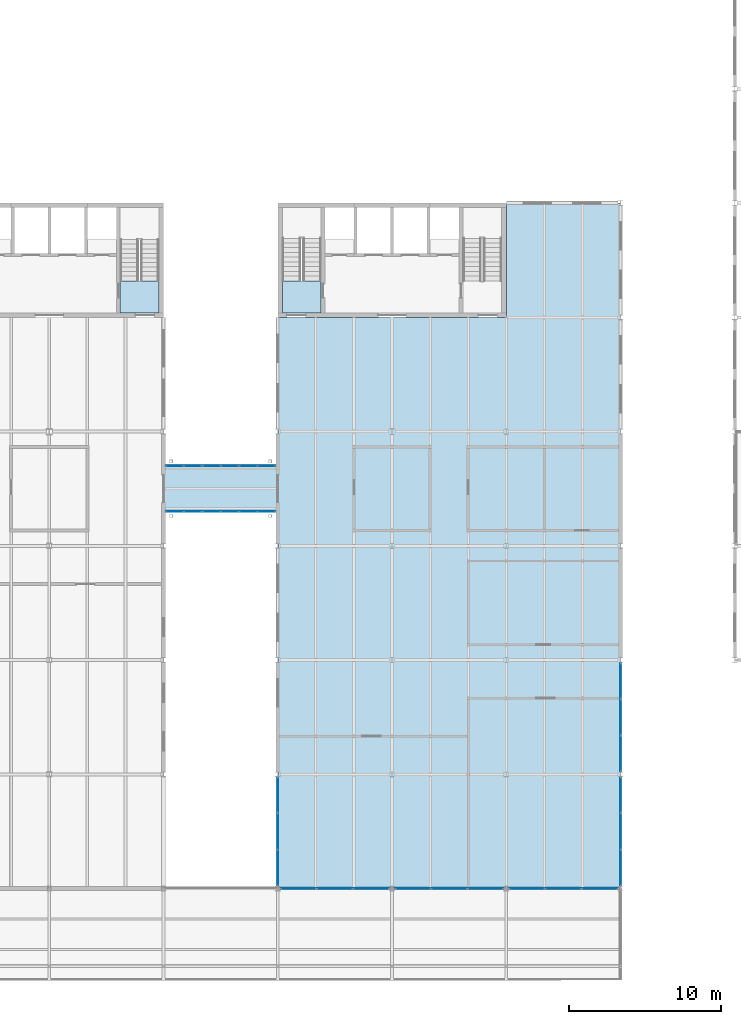
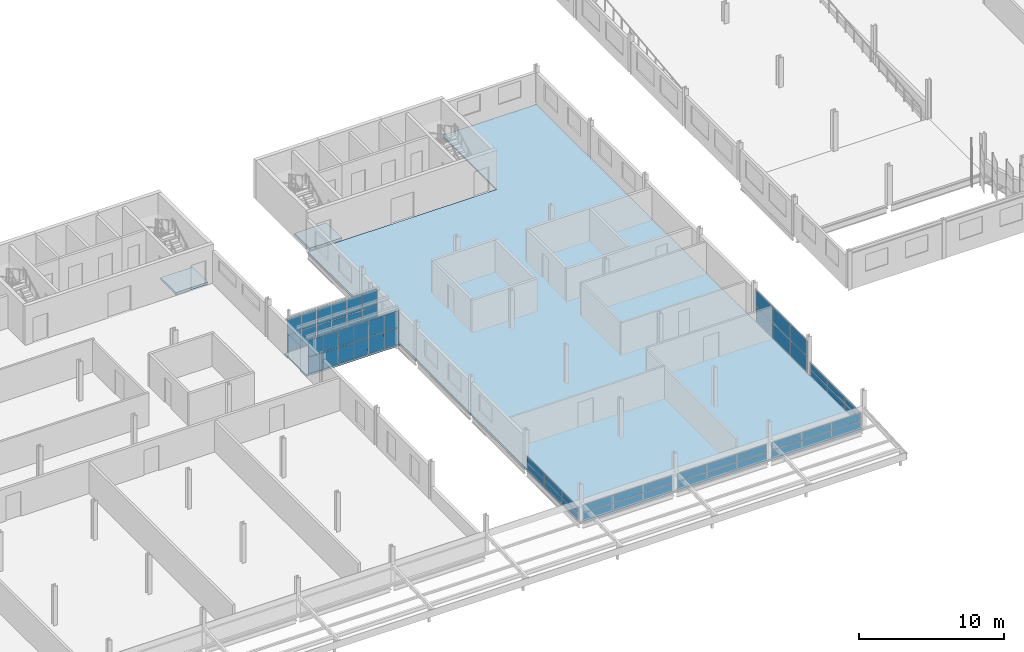
# One storey, part 60 of 214: 60 plates, 4 slabs, 12 elements without a shape of their own.
"""IFC4 building model written with IfcOpenShell, lengths in metres."""

import ifcopenshell
import ifcopenshell.guid

model = None  # the IFC model being written
_history = None  # IfcOwnerHistory: only IFC2X3 demands one
_inside = {}  # id of a spatial element -> (the spatial element, [elements in it])
_under = {}  # id of a project, library or spatial element -> (it, [spatial elements below it])
_declared = {}  # id of a project -> (the project, [libraries it declares])
_typed = {}  # id of a type object -> (the type object, [elements of that type])
_made_of = {}  # id of a material, layer set ... -> (it, [elements and type objects made of it])


def new_model(schema):
    """Start an empty IFC model of exactly this schema.

    Asked for "IFC4X3", IfcOpenShell would pick the latest addendum, in which some entities
    have other attributes; the version numbers below select the first issue.
    IFC2X3 requires an IfcOwnerHistory on every rooted entity: one is made here for all.
    """
    global model, _history
    if schema == "IFC4X3":
        model = ifcopenshell.file(schema_version=(4, 3, 0, 0))
    else:
        model = ifcopenshell.file(schema=schema)
    _inside.clear()
    _under.clear()
    _declared.clear()
    _typed.clear()
    _made_of.clear()
    _history = None
    if model.schema == "IFC2X3":
        org = make("IfcOrganization", Name="unknown")
        user = make(
            "IfcPersonAndOrganization",
            ThePerson=make("IfcPerson", FamilyName="unknown"),
            TheOrganization=org,
        )
        app = make(
            "IfcApplication",
            ApplicationDeveloper=org,
            Version="unknown",
            ApplicationFullName="unknown",
            ApplicationIdentifier="unknown",
        )
        _history = make(
            "IfcOwnerHistory",
            OwningUser=user,
            OwningApplication=app,
            ChangeAction="ADDED",
            CreationDate=0,
        )
    return model


def make(cls, **values):
    """One entity of the class cls with the attributes given. An attribute that is None is left unset."""
    return model.create_entity(
        cls, **{name: value for name, value in values.items() if value is not None}
    )


def rooted(cls, **values):
    """An entity with a GlobalId (a new one), such as an element, a storey or a relation."""
    return make(cls, GlobalId=ifcopenshell.guid.new(), OwnerHistory=_history, **values)


def si_unit(unit_type, name, prefix=None):
    """IfcSIUnit, for example si_unit("LENGTHUNIT", "METRE", prefix="MILLI")."""
    return make("IfcSIUnit", UnitType=unit_type, Prefix=prefix, Name=name)


def assignment(units):
    """IfcUnitAssignment: the units of a project."""
    return None if units is None else make("IfcUnitAssignment", Units=units)


def point(xyz):
    """IfcCartesianPoint."""
    return None if xyz is None else make("IfcCartesianPoint", Coordinates=xyz)


def direction(xyz):
    """IfcDirection."""
    return None if xyz is None else make("IfcDirection", DirectionRatios=xyz)


def frame(location, z_axis=None, x_axis=None):
    """IfcAxis2Placement3D, a coordinate frame: its origin and axes. An axis left out is left unset."""
    return make(
        "IfcAxis2Placement3D",
        Location=point(location),
        Axis=direction(z_axis),
        RefDirection=direction(x_axis),
    )


def frame_2d(location, x_axis=None):
    """IfcAxis2Placement2D, a coordinate frame in the plane: its origin and x axis."""
    return make(
        "IfcAxis2Placement2D", Location=point(location), RefDirection=direction(x_axis)
    )


def origin():
    """The frame at (0, 0, 0) with its axes left unset."""
    return frame((0.0, 0.0, 0.0))


def origin_2d():
    """The frame at (0, 0) in the plane with its x axis left unset."""
    return frame_2d((0.0, 0.0))


def place(relative_to, where):
    """IfcLocalPlacement: puts the frame where relative to a parent placement (None: the world)."""
    return make(
        "IfcLocalPlacement", PlacementRelTo=relative_to, RelativePlacement=where
    )


def context(
    kind, dimensions, precision=None, world=None, true_north=None, identifier=None
):
    """IfcGeometricRepresentationContext, for example the 3D "Model" context."""
    return make(
        "IfcGeometricRepresentationContext",
        ContextIdentifier=identifier,
        ContextType=kind,
        CoordinateSpaceDimension=dimensions,
        Precision=precision,
        WorldCoordinateSystem=world,
        TrueNorth=true_north,
    )


def subcontext(parent, identifier, kind, view, scale=None):
    """IfcGeometricRepresentationSubContext, for example "Body" below "Model"."""
    return make(
        "IfcGeometricRepresentationSubContext",
        ContextIdentifier=identifier,
        ContextType=kind,
        ParentContext=parent,
        TargetScale=scale,
        TargetView=view,
    )


def project(units=None, contexts=None):
    """IfcProject with its units and contexts."""
    return rooted(
        "IfcProject",
        Name="project",
        RepresentationContexts=contexts,
        UnitsInContext=assignment(units),
    )


def spatial(cls, under=None, at=None, **own):
    """A site, building, storey or space (cls), placed at a placement, below another one or the project."""
    s = rooted(cls, ObjectPlacement=at, **own)
    if under is not None:
        _under.setdefault(under.id(), (under, []))[1].append(s)
    return s


def polyline(points):
    """IfcPolyline through the points."""
    return make("IfcPolyline", Points=[point(p) for p in points])


def profile(cls, at=None, kind="AREA", **sizes):
    """A parametric profile (cls). Its sizes go by their IFC names, for example OverallWidth=200.0."""
    return make(cls, ProfileType=kind, Position=at, **sizes)


def rectangle(**sizes):
    """IfcRectangleProfileDef."""
    return profile("IfcRectangleProfileDef", **sizes)


def outline(outer, holes=None, kind="AREA"):
    """IfcArbitraryClosedProfileDef: a profile drawn as a closed curve; with holes, ...WithVoids."""
    if holes is None:
        return make("IfcArbitraryClosedProfileDef", ProfileType=kind, OuterCurve=outer)
    return make(
        "IfcArbitraryProfileDefWithVoids",
        ProfileType=kind,
        OuterCurve=outer,
        InnerCurves=holes,
    )


def extrude(swept, where, along, depth):
    """IfcExtrudedAreaSolid: the profile swept, set in the frame where, extruded along a direction by depth."""
    return make(
        "IfcExtrudedAreaSolid",
        SweptArea=swept,
        Position=where,
        ExtrudedDirection=direction(along),
        Depth=depth,
    )


def shape(context_of_items, identifier, shape_type, items):
    """IfcShapeRepresentation: the items that make up one representation, for example the "Body"."""
    return make(
        "IfcShapeRepresentation",
        ContextOfItems=context_of_items,
        RepresentationIdentifier=identifier,
        RepresentationType=shape_type,
        Items=items,
    )


def material(Name=None, Category=None):
    """IfcMaterial."""
    return make("IfcMaterial", Name=Name, Category=Category)


def layer(
    of_material, thickness, ventilated=None, Name=None, Category=None, Priority=None
):
    """IfcMaterialLayer: one layer of a wall or slab, of a material (None: an air gap)."""
    return make(
        "IfcMaterialLayer",
        Material=of_material,
        LayerThickness=thickness,
        IsVentilated=ventilated,
        Name=Name,
        Category=Category,
        Priority=Priority,
    )


def layer_set(layers, Name=None):
    """IfcMaterialLayerSet."""
    return make("IfcMaterialLayerSet", MaterialLayers=layers, LayerSetName=Name)


def made_of(thing, what):
    """Note that an element or type object is made of a material, layer set ...; save() writes the relation."""
    if what is not None:
        _made_of.setdefault(what.id(), (what, []))[1].append(thing)
    return thing


def type_object(cls, material=None, **own):
    """A type object (cls), such as IfcWallType, which elements share."""
    return made_of(rooted(cls, **own), material)


def element(
    cls,
    number,
    at=None,
    inside=None,
    cuts=None,
    type_object=None,
    material=None,
    context=None,
    identifier="Body",
    shape_type=None,
    held_by="IfcProductDefinitionShape",
    body=None,
    shapes=None,
    **own,
):
    """One element of the class cls, such as IfcWall. Its Tag is "e" and its number.

    at: its placement. inside: the storey or other place that contains it. cuts: it is an
    opening in that element (IfcRelVoidsElement). A single representation is given by context,
    identifier, shape_type and body (its items); several are given by shapes. held_by: the class
    of the entity that holds the representations. save() writes the other relations.
    """
    e = rooted(cls, Tag="e%d" % number, ObjectPlacement=at, **own)
    if body is not None:
        shapes = [shape(context, identifier, shape_type, body)]
    if shapes is not None:
        e.Representation = make(held_by, Representations=shapes)
    if inside is not None:
        _inside.setdefault(inside.id(), (inside, []))[1].append(e)
    if cuts is not None:
        rooted(
            "IfcRelVoidsElement", RelatingBuildingElement=cuts, RelatedOpeningElement=e
        )
    if type_object is not None:
        _typed.setdefault(type_object.id(), (type_object, []))[1].append(e)
    return made_of(e, material)


def aggregate(whole, parts):
    """IfcRelAggregates: a whole, such as a stair, and the parts it consists of."""
    return rooted("IfcRelAggregates", RelatingObject=whole, RelatedObjects=parts)


def save(model, path):
    """Write the relations noted so far, then the file.

    IfcRelAggregates (storeys below a building ...), IfcRelContainedInSpatialStructure (elements
    in a storey), IfcRelDefinesByType, IfcRelAssociatesMaterial and IfcRelDeclares: one each for
    every whole, place, type object, material and project.
    """
    for whole, parts in _under.values():
        aggregate(whole, parts)
    for where, things in _inside.values():
        rooted(
            "IfcRelContainedInSpatialStructure",
            RelatedElements=things,
            RelatingStructure=where,
        )
    for kind, things in _typed.values():
        rooted("IfcRelDefinesByType", RelatedObjects=things, RelatingType=kind)
    for what, things in _made_of.values():
        rooted("IfcRelAssociatesMaterial", RelatedObjects=things, RelatingMaterial=what)
    for by, libraries in _declared.values():
        rooted("IfcRelDeclares", RelatingContext=by, RelatedDefinitions=libraries)
    model.write(path)


model = new_model("IFC4")

# Units and contexts
model_context = context("Model", 3, precision=1e-05, world=origin(), true_north=direction((0.0, 1.0)))
body_context = subcontext(model_context, "Body", "Model", "MODEL_VIEW")
ifc_project = project(units=[si_unit("LENGTHUNIT", "METRE"), si_unit("AREAUNIT", "SQUARE_METRE"), si_unit("VOLUMEUNIT", "CUBIC_METRE"), si_unit("PLANEANGLEUNIT", "RADIAN"), si_unit("MASSUNIT", "GRAM", prefix="KILO")], contexts=[model_context])

# Site, building, storey
site_placement = place(None, origin())
site = spatial("IfcSite", under=ifc_project, at=site_placement, CompositionType="ELEMENT")
building_placement = place(site_placement, origin())
building = spatial("IfcBuilding", under=site, at=building_placement, Name="Parallax Yard Mobility Hub", CompositionType="ELEMENT")
storey_placement = place(building_placement, frame((0.0, 0.0, 3.300048828125)))
storey = spatial("IfcBuildingStorey", under=building, at=storey_placement, Name="L01", CompositionType="ELEMENT", Elevation=3.300048828125)

# Slabs
ifc_material_1 = material(Name="Composite slab: Concrete fc' 28 MPa on 76 mm steel deck", Category="concrete")
ifc_layer_1 = layer(ifc_material_1, 0.139892578125)
ifc_layer_set_1 = layer_set([ifc_layer_1], Name="Bridge deck slab")
slab_type_1 = type_object("IfcSlabType", Name="Bridge deck slab", PredefinedType="FLOOR", material=ifc_layer_set_1)
slab_1_placement = place(storey_placement, frame((0.0, 0.0, -0.14013671875)))
element("IfcSlab", 1, at=slab_1_placement, inside=storey, type_object=slab_type_1, Name="Bridge BR2 level L01 deck", PredefinedType="FLOOR", context=body_context, shape_type="SweptSolid", body=[
    extrude(outline(polyline([(142.5, 32.25), (150.0, 32.25), (150.0, 35.25), (142.5, 35.25), (142.5, 32.25)])), origin(), (0.0, 0.0, 1.0), 0.14013671875),
])
ifc_layer_2 = layer(ifc_material_1, 0.139892578125)
ifc_layer_set_2 = layer_set([ifc_layer_2], Name="Composite floor slab 140")
slab_type_2 = type_object("IfcSlabType", Name="Composite floor slab 140", PredefinedType="FLOOR", material=ifc_layer_set_2)
slab_2_placement = place(storey_placement, frame((0.0, 0.0, -0.14013671875)))
element("IfcSlab", 2, at=slab_2_placement, inside=storey, type_object=slab_type_2, Name="Composite floor slab level L01 of the bicycle and shared-mobility hall", PredefinedType="FLOOR", context=body_context, shape_type="SweptSolid", body=[
    extrude(outline(polyline([(172.5, 52.5), (165.0, 52.5), (165.0, 45.0), (150.0, 45.0), (150.0, 7.5), (172.5, 7.5), (172.5, 52.5)])), origin(), (0.0, 0.0, 1.0), 0.14013671875),
])

# Curtain wall, plates
ifc_material_2 = material(Name="Thermally broken aluminium curtain wall system", Category="aluminium")
curtain_wall_type_1 = type_object("IfcCurtainWallType", Name="Bridge curtain wall run 50 x 120 frame", PredefinedType="NOTDEFINED", material=ifc_material_2)
curtain_wall_1_placement = place(storey_placement, origin())
curtain_wall_1 = element("IfcCurtainWall", 3, at=curtain_wall_1_placement, inside=storey, type_object=curtain_wall_type_1, Name="Curtain wall run bridge BR2 south side level L01", PredefinedType="NOTDEFINED")
ifc_material_3 = material(Name="Laminated low-E double glazing", Category="glass")
ifc_layer_3 = layer(ifc_material_3, 0.02392578125)
ifc_layer_set_3 = layer_set([ifc_layer_3], Name="Glazing panel 24")
plate_type_1 = type_object("IfcPlateType", Name="Glazing panel 24", PredefinedType="CURTAIN_PANEL", material=ifc_layer_set_3)
plate_1_placement = place(storey_placement, frame((143.24169921875, 32.25, 0.050048828125), z_axis=(0.0, 0.0, 1.0), x_axis=(1.0, 0.0, 0.0)))
plate_1 = element("IfcPlate", 4, at=plate_1_placement, type_object=plate_type_1, Name="CW2 panel 1.1", PredefinedType="CURTAIN_PANEL", context=body_context, shape_type="SweptSolid", body=[
    extrude(rectangle(XDim=1.13330078125, YDim=0.02392578125, at=origin_2d()), origin(), (0.0, 0.0, 1.0), 1.375),
])
plate_2_placement = place(storey_placement, frame((143.24169921875, 32.25, 1.474853515625), z_axis=(0.0, 0.0, 1.0), x_axis=(1.0, 0.0, 0.0)))
plate_2 = element("IfcPlate", 5, at=plate_2_placement, type_object=plate_type_1, Name="CW2 panel 1.2", PredefinedType="CURTAIN_PANEL", context=body_context, shape_type="SweptSolid", body=[
    extrude(rectangle(XDim=1.13330078125, YDim=0.02392578125, at=origin_2d()), origin(), (0.0, 0.0, 1.0), 1.375),
])
plate_3_placement = place(storey_placement, frame((144.425048828125, 32.25, 0.050048828125), z_axis=(0.0, 0.0, 1.0), x_axis=(1.0, 0.0, 0.0)))
plate_3 = element("IfcPlate", 6, at=plate_3_placement, type_object=plate_type_1, Name="CW2 panel 2.1", PredefinedType="CURTAIN_PANEL", context=body_context, shape_type="SweptSolid", body=[
    extrude(rectangle(XDim=1.13330078125, YDim=0.02392578125, at=origin_2d()), origin(), (0.0, 0.0, 1.0), 1.375),
])
plate_4_placement = place(storey_placement, frame((144.425048828125, 32.25, 1.474853515625), z_axis=(0.0, 0.0, 1.0), x_axis=(1.0, 0.0, 0.0)))
plate_4 = element("IfcPlate", 7, at=plate_4_placement, type_object=plate_type_1, Name="CW2 panel 2.2", PredefinedType="CURTAIN_PANEL", context=body_context, shape_type="SweptSolid", body=[
    extrude(rectangle(XDim=1.13330078125, YDim=0.02392578125, at=origin_2d()), origin(), (0.0, 0.0, 1.0), 1.375),
])
aggregate(curtain_wall_1, [plate_1, plate_2, plate_3, plate_4])

curtain_wall_2_placement = place(storey_placement, origin())
curtain_wall_2 = element("IfcCurtainWall", 8, at=curtain_wall_2_placement, inside=storey, type_object=curtain_wall_type_1, Name="Curtain wall run bridge BR2 south side level L01", PredefinedType="NOTDEFINED")
plate_5_placement = place(storey_placement, frame((145.658447265625, 32.25, 0.050048828125), z_axis=(0.0, 0.0, 1.0), x_axis=(1.0, 0.0, 0.0)))
plate_5 = element("IfcPlate", 9, at=plate_5_placement, type_object=plate_type_1, Name="CW2 panel 1.1", PredefinedType="CURTAIN_PANEL", context=body_context, shape_type="SweptSolid", body=[
    extrude(rectangle(XDim=1.13330078125, YDim=0.02392578125, at=origin_2d()), origin(), (0.0, 0.0, 1.0), 1.375),
])
plate_6_placement = place(storey_placement, frame((145.658447265625, 32.25, 1.474853515625), z_axis=(0.0, 0.0, 1.0), x_axis=(1.0, 0.0, 0.0)))
plate_6 = element("IfcPlate", 10, at=plate_6_placement, type_object=plate_type_1, Name="CW2 panel 1.2", PredefinedType="CURTAIN_PANEL", context=body_context, shape_type="SweptSolid", body=[
    extrude(rectangle(XDim=1.13330078125, YDim=0.02392578125, at=origin_2d()), origin(), (0.0, 0.0, 1.0), 1.375),
])
plate_7_placement = place(storey_placement, frame((146.841552734375, 32.25, 0.050048828125), z_axis=(0.0, 0.0, 1.0), x_axis=(1.0, 0.0, 0.0)))
plate_7 = element("IfcPlate", 11, at=plate_7_placement, type_object=plate_type_1, Name="CW2 panel 2.1", PredefinedType="CURTAIN_PANEL", context=body_context, shape_type="SweptSolid", body=[
    extrude(rectangle(XDim=1.13330078125, YDim=0.02392578125, at=origin_2d()), origin(), (0.0, 0.0, 1.0), 1.375),
])
plate_8_placement = place(storey_placement, frame((146.841552734375, 32.25, 1.474853515625), z_axis=(0.0, 0.0, 1.0), x_axis=(1.0, 0.0, 0.0)))
plate_8 = element("IfcPlate", 12, at=plate_8_placement, type_object=plate_type_1, Name="CW2 panel 2.2", PredefinedType="CURTAIN_PANEL", context=body_context, shape_type="SweptSolid", body=[
    extrude(rectangle(XDim=1.13330078125, YDim=0.02392578125, at=origin_2d()), origin(), (0.0, 0.0, 1.0), 1.375),
])
aggregate(curtain_wall_2, [plate_5, plate_6, plate_7, plate_8])

curtain_wall_3_placement = place(storey_placement, origin())
curtain_wall_3 = element("IfcCurtainWall", 13, at=curtain_wall_3_placement, inside=storey, type_object=curtain_wall_type_1, Name="Curtain wall run bridge BR2 south side level L01", PredefinedType="NOTDEFINED")
plate_9_placement = place(storey_placement, frame((148.074951171875, 32.25, 0.050048828125), z_axis=(0.0, 0.0, 1.0), x_axis=(1.0, 0.0, 0.0)))
plate_9 = element("IfcPlate", 14, at=plate_9_placement, type_object=plate_type_1, Name="CW2 panel 1.1", PredefinedType="CURTAIN_PANEL", context=body_context, shape_type="SweptSolid", body=[
    extrude(rectangle(XDim=1.13330078125, YDim=0.02392578125, at=origin_2d()), origin(), (0.0, 0.0, 1.0), 1.375),
])
plate_10_placement = place(storey_placement, frame((148.074951171875, 32.25, 1.474853515625), z_axis=(0.0, 0.0, 1.0), x_axis=(1.0, 0.0, 0.0)))
plate_10 = element("IfcPlate", 15, at=plate_10_placement, type_object=plate_type_1, Name="CW2 panel 1.2", PredefinedType="CURTAIN_PANEL", context=body_context, shape_type="SweptSolid", body=[
    extrude(rectangle(XDim=1.13330078125, YDim=0.02392578125, at=origin_2d()), origin(), (0.0, 0.0, 1.0), 1.375),
])
plate_11_placement = place(storey_placement, frame((149.25830078125, 32.25, 0.050048828125), z_axis=(0.0, 0.0, 1.0), x_axis=(1.0, 0.0, 0.0)))
plate_11 = element("IfcPlate", 16, at=plate_11_placement, type_object=plate_type_1, Name="CW2 panel 2.1", PredefinedType="CURTAIN_PANEL", context=body_context, shape_type="SweptSolid", body=[
    extrude(rectangle(XDim=1.13330078125, YDim=0.02392578125, at=origin_2d()), origin(), (0.0, 0.0, 1.0), 1.375),
])
plate_12_placement = place(storey_placement, frame((149.25830078125, 32.25, 1.474853515625), z_axis=(0.0, 0.0, 1.0), x_axis=(1.0, 0.0, 0.0)))
plate_12 = element("IfcPlate", 17, at=plate_12_placement, type_object=plate_type_1, Name="CW2 panel 2.2", PredefinedType="CURTAIN_PANEL", context=body_context, shape_type="SweptSolid", body=[
    extrude(rectangle(XDim=1.13330078125, YDim=0.02392578125, at=origin_2d()), origin(), (0.0, 0.0, 1.0), 1.375),
])
aggregate(curtain_wall_3, [plate_9, plate_10, plate_11, plate_12])

curtain_wall_4_placement = place(storey_placement, origin())
curtain_wall_4 = element("IfcCurtainWall", 18, at=curtain_wall_4_placement, inside=storey, type_object=curtain_wall_type_1, Name="Curtain wall run bridge BR2 north side level L01", PredefinedType="NOTDEFINED")
plate_13_placement = place(storey_placement, frame((143.24169921875, 35.25, 0.050048828125), z_axis=(0.0, 0.0, 1.0), x_axis=(1.0, 0.0, 0.0)))
plate_13 = element("IfcPlate", 19, at=plate_13_placement, type_object=plate_type_1, Name="CW2 panel 1.1", PredefinedType="CURTAIN_PANEL", context=body_context, shape_type="SweptSolid", body=[
    extrude(rectangle(XDim=1.13330078125, YDim=0.02392578125, at=origin_2d()), origin(), (0.0, 0.0, 1.0), 1.375),
])
plate_14_placement = place(storey_placement, frame((143.24169921875, 35.25, 1.474853515625), z_axis=(0.0, 0.0, 1.0), x_axis=(1.0, 0.0, 0.0)))
plate_14 = element("IfcPlate", 20, at=plate_14_placement, type_object=plate_type_1, Name="CW2 panel 1.2", PredefinedType="CURTAIN_PANEL", context=body_context, shape_type="SweptSolid", body=[
    extrude(rectangle(XDim=1.13330078125, YDim=0.02392578125, at=origin_2d()), origin(), (0.0, 0.0, 1.0), 1.375),
])
plate_15_placement = place(storey_placement, frame((144.425048828125, 35.25, 0.050048828125), z_axis=(0.0, 0.0, 1.0), x_axis=(1.0, 0.0, 0.0)))
plate_15 = element("IfcPlate", 21, at=plate_15_placement, type_object=plate_type_1, Name="CW2 panel 2.1", PredefinedType="CURTAIN_PANEL", context=body_context, shape_type="SweptSolid", body=[
    extrude(rectangle(XDim=1.13330078125, YDim=0.02392578125, at=origin_2d()), origin(), (0.0, 0.0, 1.0), 1.375),
])
plate_16_placement = place(storey_placement, frame((144.425048828125, 35.25, 1.474853515625), z_axis=(0.0, 0.0, 1.0), x_axis=(1.0, 0.0, 0.0)))
plate_16 = element("IfcPlate", 22, at=plate_16_placement, type_object=plate_type_1, Name="CW2 panel 2.2", PredefinedType="CURTAIN_PANEL", context=body_context, shape_type="SweptSolid", body=[
    extrude(rectangle(XDim=1.13330078125, YDim=0.02392578125, at=origin_2d()), origin(), (0.0, 0.0, 1.0), 1.375),
])
aggregate(curtain_wall_4, [plate_13, plate_14, plate_15, plate_16])

curtain_wall_5_placement = place(storey_placement, origin())
curtain_wall_5 = element("IfcCurtainWall", 23, at=curtain_wall_5_placement, inside=storey, type_object=curtain_wall_type_1, Name="Curtain wall run bridge BR2 north side level L01", PredefinedType="NOTDEFINED")
plate_17_placement = place(storey_placement, frame((145.658447265625, 35.25, 0.050048828125), z_axis=(0.0, 0.0, 1.0), x_axis=(1.0, 0.0, 0.0)))
plate_17 = element("IfcPlate", 24, at=plate_17_placement, type_object=plate_type_1, Name="CW2 panel 1.1", PredefinedType="CURTAIN_PANEL", context=body_context, shape_type="SweptSolid", body=[
    extrude(rectangle(XDim=1.13330078125, YDim=0.02392578125, at=origin_2d()), origin(), (0.0, 0.0, 1.0), 1.375),
])
plate_18_placement = place(storey_placement, frame((145.658447265625, 35.25, 1.474853515625), z_axis=(0.0, 0.0, 1.0), x_axis=(1.0, 0.0, 0.0)))
plate_18 = element("IfcPlate", 25, at=plate_18_placement, type_object=plate_type_1, Name="CW2 panel 1.2", PredefinedType="CURTAIN_PANEL", context=body_context, shape_type="SweptSolid", body=[
    extrude(rectangle(XDim=1.13330078125, YDim=0.02392578125, at=origin_2d()), origin(), (0.0, 0.0, 1.0), 1.375),
])
plate_19_placement = place(storey_placement, frame((146.841552734375, 35.25, 0.050048828125), z_axis=(0.0, 0.0, 1.0), x_axis=(1.0, 0.0, 0.0)))
plate_19 = element("IfcPlate", 26, at=plate_19_placement, type_object=plate_type_1, Name="CW2 panel 2.1", PredefinedType="CURTAIN_PANEL", context=body_context, shape_type="SweptSolid", body=[
    extrude(rectangle(XDim=1.13330078125, YDim=0.02392578125, at=origin_2d()), origin(), (0.0, 0.0, 1.0), 1.375),
])
plate_20_placement = place(storey_placement, frame((146.841552734375, 35.25, 1.474853515625), z_axis=(0.0, 0.0, 1.0), x_axis=(1.0, 0.0, 0.0)))
plate_20 = element("IfcPlate", 27, at=plate_20_placement, type_object=plate_type_1, Name="CW2 panel 2.2", PredefinedType="CURTAIN_PANEL", context=body_context, shape_type="SweptSolid", body=[
    extrude(rectangle(XDim=1.13330078125, YDim=0.02392578125, at=origin_2d()), origin(), (0.0, 0.0, 1.0), 1.375),
])
aggregate(curtain_wall_5, [plate_17, plate_18, plate_19, plate_20])

curtain_wall_6_placement = place(storey_placement, origin())
curtain_wall_6 = element("IfcCurtainWall", 28, at=curtain_wall_6_placement, inside=storey, type_object=curtain_wall_type_1, Name="Curtain wall run bridge BR2 north side level L01", PredefinedType="NOTDEFINED")
plate_21_placement = place(storey_placement, frame((148.074951171875, 35.25, 0.050048828125), z_axis=(0.0, 0.0, 1.0), x_axis=(1.0, 0.0, 0.0)))
plate_21 = element("IfcPlate", 29, at=plate_21_placement, type_object=plate_type_1, Name="CW2 panel 1.1", PredefinedType="CURTAIN_PANEL", context=body_context, shape_type="SweptSolid", body=[
    extrude(rectangle(XDim=1.13330078125, YDim=0.02392578125, at=origin_2d()), origin(), (0.0, 0.0, 1.0), 1.375),
])
plate_22_placement = place(storey_placement, frame((148.074951171875, 35.25, 1.474853515625), z_axis=(0.0, 0.0, 1.0), x_axis=(1.0, 0.0, 0.0)))
plate_22 = element("IfcPlate", 30, at=plate_22_placement, type_object=plate_type_1, Name="CW2 panel 1.2", PredefinedType="CURTAIN_PANEL", context=body_context, shape_type="SweptSolid", body=[
    extrude(rectangle(XDim=1.13330078125, YDim=0.02392578125, at=origin_2d()), origin(), (0.0, 0.0, 1.0), 1.375),
])
plate_23_placement = place(storey_placement, frame((149.25830078125, 35.25, 0.050048828125), z_axis=(0.0, 0.0, 1.0), x_axis=(1.0, 0.0, 0.0)))
plate_23 = element("IfcPlate", 31, at=plate_23_placement, type_object=plate_type_1, Name="CW2 panel 2.1", PredefinedType="CURTAIN_PANEL", context=body_context, shape_type="SweptSolid", body=[
    extrude(rectangle(XDim=1.13330078125, YDim=0.02392578125, at=origin_2d()), origin(), (0.0, 0.0, 1.0), 1.375),
])
plate_24_placement = place(storey_placement, frame((149.25830078125, 35.25, 1.474853515625), z_axis=(0.0, 0.0, 1.0), x_axis=(1.0, 0.0, 0.0)))
plate_24 = element("IfcPlate", 32, at=plate_24_placement, type_object=plate_type_1, Name="CW2 panel 2.2", PredefinedType="CURTAIN_PANEL", context=body_context, shape_type="SweptSolid", body=[
    extrude(rectangle(XDim=1.13330078125, YDim=0.02392578125, at=origin_2d()), origin(), (0.0, 0.0, 1.0), 1.375),
])
aggregate(curtain_wall_6, [plate_21, plate_22, plate_23, plate_24])

curtain_wall_type_2 = type_object("IfcCurtainWallType", Name="Curtain wall run 60 x 160 frame", PredefinedType="NOTDEFINED", material=ifc_material_2)
curtain_wall_7_placement = place(storey_placement, origin())
curtain_wall_7 = element("IfcCurtainWall", 33, at=curtain_wall_7_placement, inside=storey, type_object=curtain_wall_type_2, Name="Curtain wall run Bicycle and shared-mobility hall south bay 1 level L01", PredefinedType="NOTDEFINED")
ifc_layer_4 = layer(ifc_material_3, 0.028076171875)
ifc_layer_set_4 = layer_set([ifc_layer_4], Name="Glazing panel 28")
plate_type_2 = type_object("IfcPlateType", Name="Glazing panel 28", PredefinedType="CURTAIN_PANEL", material=ifc_layer_set_4)
plate_25_placement = place(storey_placement, frame((151.367431640625, 7.5, 0.06005859375), z_axis=(0.0, 0.0, 1.0), x_axis=(1.0, 0.0, 0.0)))
plate_25 = element("IfcPlate", 34, at=plate_25_placement, type_object=plate_type_2, Name="CW1 panel 1.1", PredefinedType="CURTAIN_PANEL", context=body_context, shape_type="SweptSolid", body=[
    extrude(rectangle(XDim=2.3076171875, YDim=0.028076171875, at=origin_2d()), origin(), (0.0, 0.0, 1.0), 0.630126953125),
])
plate_26_placement = place(storey_placement, frame((151.367431640625, 7.5, 0.75), z_axis=(0.0, 0.0, 1.0), x_axis=(1.0, 0.0, 0.0)))
plate_26 = element("IfcPlate", 35, at=plate_26_placement, type_object=plate_type_2, Name="CW1 panel 1.2", PredefinedType="CURTAIN_PANEL", context=body_context, shape_type="SweptSolid", body=[
    extrude(rectangle(XDim=2.3076171875, YDim=0.028076171875, at=origin_2d()), origin(), (0.0, 0.0, 1.0), 0.63037109375),
])
plate_27_placement = place(storey_placement, frame((153.75, 7.5, 0.06005859375), z_axis=(0.0, 0.0, 1.0), x_axis=(1.0, 0.0, 0.0)))
plate_27 = element("IfcPlate", 36, at=plate_27_placement, type_object=plate_type_2, Name="CW1 panel 2.1", PredefinedType="CURTAIN_PANEL", context=body_context, shape_type="SweptSolid", body=[
    extrude(rectangle(XDim=2.337646484375, YDim=0.028076171875, at=origin_2d()), origin(), (0.0, 0.0, 1.0), 0.630126953125),
])
plate_28_placement = place(storey_placement, frame((153.75, 7.5, 0.75), z_axis=(0.0, 0.0, 1.0), x_axis=(1.0, 0.0, 0.0)))
plate_28 = element("IfcPlate", 37, at=plate_28_placement, type_object=plate_type_2, Name="CW1 panel 2.2", PredefinedType="CURTAIN_PANEL", context=body_context, shape_type="SweptSolid", body=[
    extrude(rectangle(XDim=2.337646484375, YDim=0.028076171875, at=origin_2d()), origin(), (0.0, 0.0, 1.0), 0.63037109375),
])
plate_29_placement = place(storey_placement, frame((156.132568359375, 7.5, 0.06005859375), z_axis=(0.0, 0.0, 1.0), x_axis=(1.0, 0.0, 0.0)))
plate_29 = element("IfcPlate", 38, at=plate_29_placement, type_object=plate_type_2, Name="CW1 panel 3.1", PredefinedType="CURTAIN_PANEL", context=body_context, shape_type="SweptSolid", body=[
    extrude(rectangle(XDim=2.3076171875, YDim=0.028076171875, at=origin_2d()), origin(), (0.0, 0.0, 1.0), 0.630126953125),
])
plate_30_placement = place(storey_placement, frame((156.132568359375, 7.5, 0.75), z_axis=(0.0, 0.0, 1.0), x_axis=(1.0, 0.0, 0.0)))
plate_30 = element("IfcPlate", 39, at=plate_30_placement, type_object=plate_type_2, Name="CW1 panel 3.2", PredefinedType="CURTAIN_PANEL", context=body_context, shape_type="SweptSolid", body=[
    extrude(rectangle(XDim=2.3076171875, YDim=0.028076171875, at=origin_2d()), origin(), (0.0, 0.0, 1.0), 0.63037109375),
])
aggregate(curtain_wall_7, [plate_25, plate_26, plate_27, plate_28, plate_29, plate_30])

curtain_wall_8_placement = place(storey_placement, origin())
curtain_wall_8 = element("IfcCurtainWall", 40, at=curtain_wall_8_placement, inside=storey, type_object=curtain_wall_type_2, Name="Curtain wall run Bicycle and shared-mobility hall south bay 2 level L01", PredefinedType="NOTDEFINED")
plate_31_placement = place(storey_placement, frame((158.867431640625, 7.5, 0.06005859375), z_axis=(0.0, 0.0, 1.0), x_axis=(1.0, 0.0, 0.0)))
plate_31 = element("IfcPlate", 41, at=plate_31_placement, type_object=plate_type_2, Name="CW1 panel 1.1", PredefinedType="CURTAIN_PANEL", context=body_context, shape_type="SweptSolid", body=[
    extrude(rectangle(XDim=2.3076171875, YDim=0.028076171875, at=origin_2d()), origin(), (0.0, 0.0, 1.0), 0.630126953125),
])
plate_32_placement = place(storey_placement, frame((158.867431640625, 7.5, 0.75), z_axis=(0.0, 0.0, 1.0), x_axis=(1.0, 0.0, 0.0)))
plate_32 = element("IfcPlate", 42, at=plate_32_placement, type_object=plate_type_2, Name="CW1 panel 1.2", PredefinedType="CURTAIN_PANEL", context=body_context, shape_type="SweptSolid", body=[
    extrude(rectangle(XDim=2.3076171875, YDim=0.028076171875, at=origin_2d()), origin(), (0.0, 0.0, 1.0), 0.63037109375),
])
plate_33_placement = place(storey_placement, frame((161.25, 7.5, 0.06005859375), z_axis=(0.0, 0.0, 1.0), x_axis=(1.0, 0.0, 0.0)))
plate_33 = element("IfcPlate", 43, at=plate_33_placement, type_object=plate_type_2, Name="CW1 panel 2.1", PredefinedType="CURTAIN_PANEL", context=body_context, shape_type="SweptSolid", body=[
    extrude(rectangle(XDim=2.337646484375, YDim=0.028076171875, at=origin_2d()), origin(), (0.0, 0.0, 1.0), 0.630126953125),
])
plate_34_placement = place(storey_placement, frame((161.25, 7.5, 0.75), z_axis=(0.0, 0.0, 1.0), x_axis=(1.0, 0.0, 0.0)))
plate_34 = element("IfcPlate", 44, at=plate_34_placement, type_object=plate_type_2, Name="CW1 panel 2.2", PredefinedType="CURTAIN_PANEL", context=body_context, shape_type="SweptSolid", body=[
    extrude(rectangle(XDim=2.337646484375, YDim=0.028076171875, at=origin_2d()), origin(), (0.0, 0.0, 1.0), 0.63037109375),
])
plate_35_placement = place(storey_placement, frame((163.632568359375, 7.5, 0.06005859375), z_axis=(0.0, 0.0, 1.0), x_axis=(1.0, 0.0, 0.0)))
plate_35 = element("IfcPlate", 45, at=plate_35_placement, type_object=plate_type_2, Name="CW1 panel 3.1", PredefinedType="CURTAIN_PANEL", context=body_context, shape_type="SweptSolid", body=[
    extrude(rectangle(XDim=2.3076171875, YDim=0.028076171875, at=origin_2d()), origin(), (0.0, 0.0, 1.0), 0.630126953125),
])
plate_36_placement = place(storey_placement, frame((163.632568359375, 7.5, 0.75), z_axis=(0.0, 0.0, 1.0), x_axis=(1.0, 0.0, 0.0)))
plate_36 = element("IfcPlate", 46, at=plate_36_placement, type_object=plate_type_2, Name="CW1 panel 3.2", PredefinedType="CURTAIN_PANEL", context=body_context, shape_type="SweptSolid", body=[
    extrude(rectangle(XDim=2.3076171875, YDim=0.028076171875, at=origin_2d()), origin(), (0.0, 0.0, 1.0), 0.63037109375),
])
aggregate(curtain_wall_8, [plate_31, plate_32, plate_33, plate_34, plate_35, plate_36])

curtain_wall_9_placement = place(storey_placement, origin())
curtain_wall_9 = element("IfcCurtainWall", 47, at=curtain_wall_9_placement, inside=storey, type_object=curtain_wall_type_2, Name="Curtain wall run Bicycle and shared-mobility hall south bay 3 level L01", PredefinedType="NOTDEFINED")
plate_37_placement = place(storey_placement, frame((166.367431640625, 7.5, 0.06005859375), z_axis=(0.0, 0.0, 1.0), x_axis=(1.0, 0.0, 0.0)))
plate_37 = element("IfcPlate", 48, at=plate_37_placement, type_object=plate_type_2, Name="CW1 panel 1.1", PredefinedType="CURTAIN_PANEL", context=body_context, shape_type="SweptSolid", body=[
    extrude(rectangle(XDim=2.3076171875, YDim=0.028076171875, at=origin_2d()), origin(), (0.0, 0.0, 1.0), 0.630126953125),
])
plate_38_placement = place(storey_placement, frame((166.367431640625, 7.5, 0.75), z_axis=(0.0, 0.0, 1.0), x_axis=(1.0, 0.0, 0.0)))
plate_38 = element("IfcPlate", 49, at=plate_38_placement, type_object=plate_type_2, Name="CW1 panel 1.2", PredefinedType="CURTAIN_PANEL", context=body_context, shape_type="SweptSolid", body=[
    extrude(rectangle(XDim=2.3076171875, YDim=0.028076171875, at=origin_2d()), origin(), (0.0, 0.0, 1.0), 0.63037109375),
])
plate_39_placement = place(storey_placement, frame((168.75, 7.5, 0.06005859375), z_axis=(0.0, 0.0, 1.0), x_axis=(1.0, 0.0, 0.0)))
plate_39 = element("IfcPlate", 50, at=plate_39_placement, type_object=plate_type_2, Name="CW1 panel 2.1", PredefinedType="CURTAIN_PANEL", context=body_context, shape_type="SweptSolid", body=[
    extrude(rectangle(XDim=2.337646484375, YDim=0.028076171875, at=origin_2d()), origin(), (0.0, 0.0, 1.0), 0.630126953125),
])
plate_40_placement = place(storey_placement, frame((168.75, 7.5, 0.75), z_axis=(0.0, 0.0, 1.0), x_axis=(1.0, 0.0, 0.0)))
plate_40 = element("IfcPlate", 51, at=plate_40_placement, type_object=plate_type_2, Name="CW1 panel 2.2", PredefinedType="CURTAIN_PANEL", context=body_context, shape_type="SweptSolid", body=[
    extrude(rectangle(XDim=2.337646484375, YDim=0.028076171875, at=origin_2d()), origin(), (0.0, 0.0, 1.0), 0.63037109375),
])
plate_41_placement = place(storey_placement, frame((171.132568359375, 7.5, 0.06005859375), z_axis=(0.0, 0.0, 1.0), x_axis=(1.0, 0.0, 0.0)))
plate_41 = element("IfcPlate", 52, at=plate_41_placement, type_object=plate_type_2, Name="CW1 panel 3.1", PredefinedType="CURTAIN_PANEL", context=body_context, shape_type="SweptSolid", body=[
    extrude(rectangle(XDim=2.3076171875, YDim=0.028076171875, at=origin_2d()), origin(), (0.0, 0.0, 1.0), 0.630126953125),
])
plate_42_placement = place(storey_placement, frame((171.132568359375, 7.5, 0.75), z_axis=(0.0, 0.0, 1.0), x_axis=(1.0, 0.0, 0.0)))
plate_42 = element("IfcPlate", 53, at=plate_42_placement, type_object=plate_type_2, Name="CW1 panel 3.2", PredefinedType="CURTAIN_PANEL", context=body_context, shape_type="SweptSolid", body=[
    extrude(rectangle(XDim=2.3076171875, YDim=0.028076171875, at=origin_2d()), origin(), (0.0, 0.0, 1.0), 0.63037109375),
])
aggregate(curtain_wall_9, [plate_37, plate_38, plate_39, plate_40, plate_41, plate_42])

curtain_wall_10_placement = place(storey_placement, origin())
curtain_wall_10 = element("IfcCurtainWall", 54, at=curtain_wall_10_placement, inside=storey, type_object=curtain_wall_type_2, Name="Curtain wall run Bicycle and shared-mobility hall east bay 1 level L01", PredefinedType="NOTDEFINED")
plate_43_placement = place(storey_placement, frame((172.5, 8.867431640625, 0.06005859375), z_axis=(0.0, 0.0, 1.0), x_axis=(0.0, 1.0, 0.0)))
plate_43 = element("IfcPlate", 55, at=plate_43_placement, type_object=plate_type_2, Name="CW1 panel 1.1", PredefinedType="CURTAIN_PANEL", context=body_context, shape_type="SweptSolid", body=[
    extrude(rectangle(XDim=2.3076171875, YDim=0.028076171875, at=origin_2d()), origin(), (0.0, 0.0, 1.0), 0.488037109375),
])
plate_44_placement = place(storey_placement, frame((172.5, 8.867431640625, 0.60791015625), z_axis=(0.0, 0.0, 1.0), x_axis=(0.0, 1.0, 0.0)))
plate_44 = element("IfcPlate", 56, at=plate_44_placement, type_object=plate_type_2, Name="CW1 panel 1.2", PredefinedType="CURTAIN_PANEL", context=body_context, shape_type="SweptSolid", body=[
    extrude(rectangle(XDim=2.3076171875, YDim=0.028076171875, at=origin_2d()), origin(), (0.0, 0.0, 1.0), 0.488037109375),
])
plate_45_placement = place(storey_placement, frame((172.5, 11.25, 0.06005859375), z_axis=(0.0, 0.0, 1.0), x_axis=(0.0, 1.0, 0.0)))
plate_45 = element("IfcPlate", 57, at=plate_45_placement, type_object=plate_type_2, Name="CW1 panel 2.1", PredefinedType="CURTAIN_PANEL", context=body_context, shape_type="SweptSolid", body=[
    extrude(rectangle(XDim=2.337646484375, YDim=0.028076171875, at=origin_2d()), origin(), (0.0, 0.0, 1.0), 0.488037109375),
])
plate_46_placement = place(storey_placement, frame((172.5, 11.25, 0.60791015625), z_axis=(0.0, 0.0, 1.0), x_axis=(0.0, 1.0, 0.0)))
plate_46 = element("IfcPlate", 58, at=plate_46_placement, type_object=plate_type_2, Name="CW1 panel 2.2", PredefinedType="CURTAIN_PANEL", context=body_context, shape_type="SweptSolid", body=[
    extrude(rectangle(XDim=2.337646484375, YDim=0.028076171875, at=origin_2d()), origin(), (0.0, 0.0, 1.0), 0.488037109375),
])
plate_47_placement = place(storey_placement, frame((172.5, 13.632568359375, 0.06005859375), z_axis=(0.0, 0.0, 1.0), x_axis=(0.0, 1.0, 0.0)))
plate_47 = element("IfcPlate", 59, at=plate_47_placement, type_object=plate_type_2, Name="CW1 panel 3.1", PredefinedType="CURTAIN_PANEL", context=body_context, shape_type="SweptSolid", body=[
    extrude(rectangle(XDim=2.3076171875, YDim=0.028076171875, at=origin_2d()), origin(), (0.0, 0.0, 1.0), 0.488037109375),
])
plate_48_placement = place(storey_placement, frame((172.5, 13.632568359375, 0.60791015625), z_axis=(0.0, 0.0, 1.0), x_axis=(0.0, 1.0, 0.0)))
plate_48 = element("IfcPlate", 60, at=plate_48_placement, type_object=plate_type_2, Name="CW1 panel 3.2", PredefinedType="CURTAIN_PANEL", context=body_context, shape_type="SweptSolid", body=[
    extrude(rectangle(XDim=2.3076171875, YDim=0.028076171875, at=origin_2d()), origin(), (0.0, 0.0, 1.0), 0.488037109375),
])
aggregate(curtain_wall_10, [plate_43, plate_44, plate_45, plate_46, plate_47, plate_48])

curtain_wall_11_placement = place(storey_placement, origin())
curtain_wall_11 = element("IfcCurtainWall", 61, at=curtain_wall_11_placement, inside=storey, type_object=curtain_wall_type_2, Name="Curtain wall run Bicycle and shared-mobility hall east bay 2 level L01", PredefinedType="NOTDEFINED")
plate_49_placement = place(storey_placement, frame((172.5, 16.367431640625, 0.06005859375), z_axis=(0.0, 0.0, 1.0), x_axis=(0.0, 1.0, 0.0)))
plate_49 = element("IfcPlate", 62, at=plate_49_placement, type_object=plate_type_2, Name="CW1 panel 1.1", PredefinedType="CURTAIN_PANEL", context=body_context, shape_type="SweptSolid", body=[
    extrude(rectangle(XDim=2.3076171875, YDim=0.028076171875, at=origin_2d()), origin(), (0.0, 0.0, 1.0), 1.285400390625),
])
plate_50_placement = place(storey_placement, frame((172.5, 16.367431640625, 1.4052734375), z_axis=(0.0, 0.0, 1.0), x_axis=(0.0, 1.0, 0.0)))
plate_50 = element("IfcPlate", 63, at=plate_50_placement, type_object=plate_type_2, Name="CW1 panel 1.2", PredefinedType="CURTAIN_PANEL", context=body_context, shape_type="SweptSolid", body=[
    extrude(rectangle(XDim=2.3076171875, YDim=0.028076171875, at=origin_2d()), origin(), (0.0, 0.0, 1.0), 1.285400390625),
])
plate_51_placement = place(storey_placement, frame((172.5, 18.75, 0.06005859375), z_axis=(0.0, 0.0, 1.0), x_axis=(0.0, 1.0, 0.0)))
plate_51 = element("IfcPlate", 64, at=plate_51_placement, type_object=plate_type_2, Name="CW1 panel 2.1", PredefinedType="CURTAIN_PANEL", context=body_context, shape_type="SweptSolid", body=[
    extrude(rectangle(XDim=2.337646484375, YDim=0.028076171875, at=origin_2d()), origin(), (0.0, 0.0, 1.0), 1.285400390625),
])
plate_52_placement = place(storey_placement, frame((172.5, 18.75, 1.4052734375), z_axis=(0.0, 0.0, 1.0), x_axis=(0.0, 1.0, 0.0)))
plate_52 = element("IfcPlate", 65, at=plate_52_placement, type_object=plate_type_2, Name="CW1 panel 2.2", PredefinedType="CURTAIN_PANEL", context=body_context, shape_type="SweptSolid", body=[
    extrude(rectangle(XDim=2.337646484375, YDim=0.028076171875, at=origin_2d()), origin(), (0.0, 0.0, 1.0), 1.285400390625),
])
plate_53_placement = place(storey_placement, frame((172.5, 21.132568359375, 0.06005859375), z_axis=(0.0, 0.0, 1.0), x_axis=(0.0, 1.0, 0.0)))
plate_53 = element("IfcPlate", 66, at=plate_53_placement, type_object=plate_type_2, Name="CW1 panel 3.1", PredefinedType="CURTAIN_PANEL", context=body_context, shape_type="SweptSolid", body=[
    extrude(rectangle(XDim=2.3076171875, YDim=0.028076171875, at=origin_2d()), origin(), (0.0, 0.0, 1.0), 1.285400390625),
])
plate_54_placement = place(storey_placement, frame((172.5, 21.132568359375, 1.4052734375), z_axis=(0.0, 0.0, 1.0), x_axis=(0.0, 1.0, 0.0)))
plate_54 = element("IfcPlate", 67, at=plate_54_placement, type_object=plate_type_2, Name="CW1 panel 3.2", PredefinedType="CURTAIN_PANEL", context=body_context, shape_type="SweptSolid", body=[
    extrude(rectangle(XDim=2.3076171875, YDim=0.028076171875, at=origin_2d()), origin(), (0.0, 0.0, 1.0), 1.285400390625),
])
aggregate(curtain_wall_11, [plate_49, plate_50, plate_51, plate_52, plate_53, plate_54])

curtain_wall_12_placement = place(storey_placement, origin())
curtain_wall_12 = element("IfcCurtainWall", 68, at=curtain_wall_12_placement, inside=storey, type_object=curtain_wall_type_2, Name="Curtain wall run Bicycle and shared-mobility hall west bay 1 level L01", PredefinedType="NOTDEFINED")
plate_55_placement = place(storey_placement, frame((150.0, 8.867431640625, 0.06005859375), z_axis=(0.0, 0.0, 1.0), x_axis=(0.0, 1.0, 0.0)))
plate_55 = element("IfcPlate", 69, at=plate_55_placement, type_object=plate_type_2, Name="CW1 panel 1.1", PredefinedType="CURTAIN_PANEL", context=body_context, shape_type="SweptSolid", body=[
    extrude(rectangle(XDim=2.3076171875, YDim=0.028076171875, at=origin_2d()), origin(), (0.0, 0.0, 1.0), 0.488037109375),
])
plate_56_placement = place(storey_placement, frame((150.0, 8.867431640625, 0.60791015625), z_axis=(0.0, 0.0, 1.0), x_axis=(0.0, 1.0, 0.0)))
plate_56 = element("IfcPlate", 70, at=plate_56_placement, type_object=plate_type_2, Name="CW1 panel 1.2", PredefinedType="CURTAIN_PANEL", context=body_context, shape_type="SweptSolid", body=[
    extrude(rectangle(XDim=2.3076171875, YDim=0.028076171875, at=origin_2d()), origin(), (0.0, 0.0, 1.0), 0.488037109375),
])
plate_57_placement = place(storey_placement, frame((150.0, 11.25, 0.06005859375), z_axis=(0.0, 0.0, 1.0), x_axis=(0.0, 1.0, 0.0)))
plate_57 = element("IfcPlate", 71, at=plate_57_placement, type_object=plate_type_2, Name="CW1 panel 2.1", PredefinedType="CURTAIN_PANEL", context=body_context, shape_type="SweptSolid", body=[
    extrude(rectangle(XDim=2.337646484375, YDim=0.028076171875, at=origin_2d()), origin(), (0.0, 0.0, 1.0), 0.488037109375),
])
plate_58_placement = place(storey_placement, frame((150.0, 11.25, 0.60791015625), z_axis=(0.0, 0.0, 1.0), x_axis=(0.0, 1.0, 0.0)))
plate_58 = element("IfcPlate", 72, at=plate_58_placement, type_object=plate_type_2, Name="CW1 panel 2.2", PredefinedType="CURTAIN_PANEL", context=body_context, shape_type="SweptSolid", body=[
    extrude(rectangle(XDim=2.337646484375, YDim=0.028076171875, at=origin_2d()), origin(), (0.0, 0.0, 1.0), 0.488037109375),
])
plate_59_placement = place(storey_placement, frame((150.0, 13.632568359375, 0.06005859375), z_axis=(0.0, 0.0, 1.0), x_axis=(0.0, 1.0, 0.0)))
plate_59 = element("IfcPlate", 73, at=plate_59_placement, type_object=plate_type_2, Name="CW1 panel 3.1", PredefinedType="CURTAIN_PANEL", context=body_context, shape_type="SweptSolid", body=[
    extrude(rectangle(XDim=2.3076171875, YDim=0.028076171875, at=origin_2d()), origin(), (0.0, 0.0, 1.0), 0.488037109375),
])
plate_60_placement = place(storey_placement, frame((150.0, 13.632568359375, 0.60791015625), z_axis=(0.0, 0.0, 1.0), x_axis=(0.0, 1.0, 0.0)))
plate_60 = element("IfcPlate", 74, at=plate_60_placement, type_object=plate_type_2, Name="CW1 panel 3.2", PredefinedType="CURTAIN_PANEL", context=body_context, shape_type="SweptSolid", body=[
    extrude(rectangle(XDim=2.3076171875, YDim=0.028076171875, at=origin_2d()), origin(), (0.0, 0.0, 1.0), 0.488037109375),
])
aggregate(curtain_wall_12, [plate_55, plate_56, plate_57, plate_58, plate_59, plate_60])

# Slabs
ifc_material_4 = material(Name="Concrete fc' 35 MPa", Category="concrete")
ifc_layer_5 = layer(ifc_material_4, 0.199951171875)
ifc_layer_set_5 = layer_set([ifc_layer_5], Name="Stair floor landing slab 200")
slab_type_3 = type_object("IfcSlabType", Name="Stair floor landing slab 200", PredefinedType="FLOOR", material=ifc_layer_set_5)
slab_3_placement = place(storey_placement, frame((0.0, 0.0, -0.199951171875)))
element("IfcSlab", 75, at=slab_3_placement, inside=storey, type_object=slab_type_3, Name="Core C6-E exit stair 2 floor landing level L01", PredefinedType="FLOOR", context=body_context, shape_type="SweptSolid", body=[
    extrude(outline(polyline([(142.199951171875, 45.300048828125), (142.199951171875, 47.39990234375), (139.64990234375, 47.39990234375), (139.64990234375, 45.300048828125), (142.199951171875, 45.300048828125)])), origin(), (0.0, 0.0, 1.0), 0.199951171875),
])
slab_4_placement = place(storey_placement, frame((0.0, 0.0, -0.199951171875)))
element("IfcSlab", 76, at=slab_4_placement, inside=storey, type_object=slab_type_3, Name="Core C5 exit stair 1 floor landing level L01", PredefinedType="FLOOR", context=body_context, shape_type="SweptSolid", body=[
    extrude(outline(polyline([(152.85009765625, 45.300048828125), (152.85009765625, 47.39990234375), (150.300048828125, 47.39990234375), (150.300048828125, 45.300048828125), (152.85009765625, 45.300048828125)])), origin(), (0.0, 0.0, 1.0), 0.199951171875),
])

save(model, "model.ifc")
